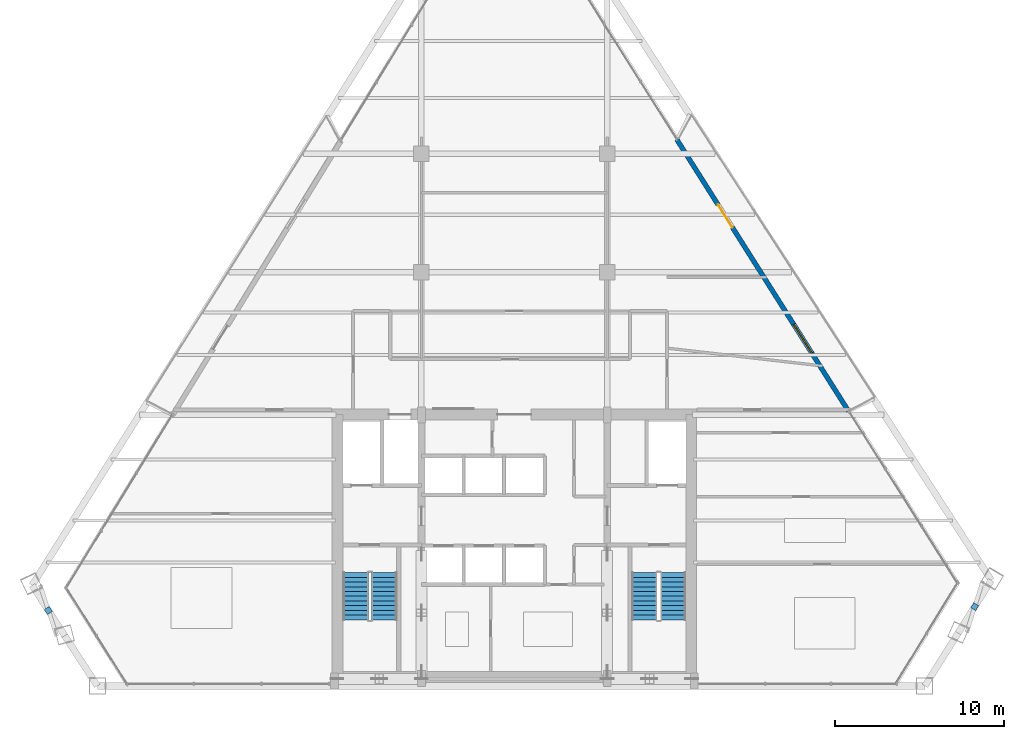
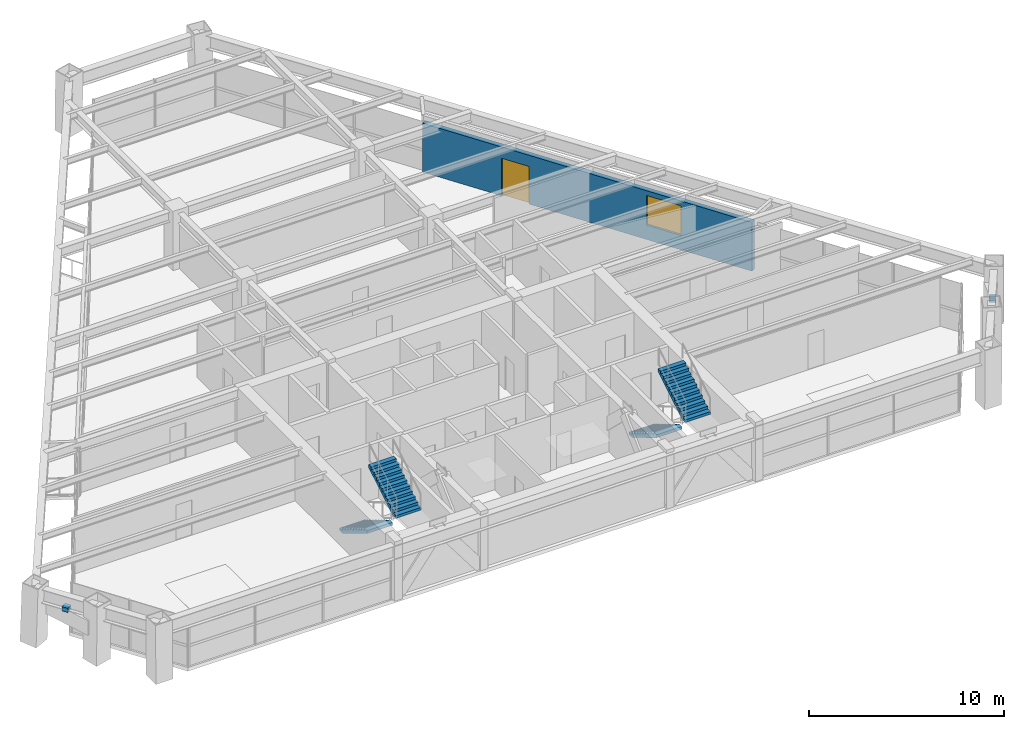
# One storey, part 13 of 15: 4 stair flights, 2 discrete accessories, 1 door, 1 wall, 1 window, 2 openings, 2 elements without a shape of their own.
"""IFC4 building model written with IfcOpenShell, lengths in metres."""

from ifc_helpers import new_model, si_unit, direction, frame, frame_2d, origin, origin_2d, place, context, subcontext, project, spatial, polyline, rectangle, outline, extrude, source, transform, mapped, material, layer, layer_set, type_object, type_shapes, element, fill, aggregate, save


model = new_model("IFC4")

# Units and contexts
model_context = context("Model", 3, precision=1e-05, world=origin(), true_north=direction((0.0, 1.0)))
body_context = subcontext(model_context, "Body", "Model", "MODEL_VIEW")
ifc_project = project(units=[si_unit("LENGTHUNIT", "METRE"), si_unit("AREAUNIT", "SQUARE_METRE"), si_unit("VOLUMEUNIT", "CUBIC_METRE"), si_unit("PLANEANGLEUNIT", "RADIAN"), si_unit("MASSUNIT", "GRAM", prefix="KILO")], contexts=[model_context])

# Site, building, storey
site_placement = place(None, origin())
site = spatial("IfcSite", under=ifc_project, at=site_placement, CompositionType="ELEMENT")
building_placement = place(site_placement, origin())
building = spatial("IfcBuilding", under=site, at=building_placement, Name="Varnakhor Terracotta Tower", CompositionType="ELEMENT")
storey_placement = place(building_placement, frame((0.0, 0.0, 196.89990234375)))
storey = spatial("IfcBuildingStorey", under=building, at=storey_placement, Name="L50", CompositionType="ELEMENT", Elevation=196.89990234375)

# Wall, openings, door, window
ifc_material_1 = material(Name="Extruded Architectural Terracotta Assembly", Category="masonry")
ifc_layer = layer(ifc_material_1, 0.280029296875, Name="Extruded Architectural Terracotta Assembly")
ifc_layer_set = layer_set([ifc_layer], Name="Extruded Architectural Terracotta Assembly")
wall_type = type_object("IfcWallType", Name="WAL-EXT-TERRACOTTA-280", PredefinedType="SOLIDWALL", material=ifc_layer_set)
wall_placement = place(storey_placement, frame((9.6201171875, 32.35791015625, 0.0), z_axis=(0.0, 0.0, 1.0), x_axis=(0.534252973029, -0.845324648174, 0.0)))
wall = element("IfcWall", 1, at=wall_placement, inside=storey, type_object=wall_type, Name="L50 E Loggia Insulated Terracotta Wall", PredefinedType="SOLIDWALL", context=body_context, shape_type="SweptSolid", body=[
    extrude(rectangle(XDim=19.041748046875, YDim=0.280029296875, at=frame_2d((9.52099609375, 0.0))), origin(), (0.0, 0.0, 1.0), 3.050048828125),
])
opening_1_placement = place(wall_placement, frame((4.570068359375, 0.0, 0.0)))
opening_1 = element("IfcOpeningElement", 2, at=opening_1_placement, cuts=wall, Name="Opening DR-62", PredefinedType="OPENING", context=body_context, shape_type="SweptSolid", body=[
    extrude(rectangle(XDim=1.60009765625, YDim=2.35009765625, at=frame_2d((0.800048828125, 1.175048828125))), frame((0.0, 0.14990234375, 0.0), z_axis=(0.0, -1.0, 0.0), x_axis=(1.0, 0.0, 0.0)), (0.0, 0.0, 1.0), 0.300048828125),
])
opening_2_placement = place(wall_placement, frame((12.9482421875, 0.0, 0.89990234375)))
opening_2 = element("IfcOpeningElement", 3, at=opening_2_placement, cuts=wall, Name="Opening WN-26", PredefinedType="OPENING", context=body_context, shape_type="SweptSolid", body=[
    extrude(rectangle(XDim=2.0, YDim=1.85009765625, at=frame_2d((1.0, 0.925048828125))), frame((0.0, 0.14990234375, 0.0), z_axis=(0.0, -1.0, 0.0), x_axis=(1.0, 0.0, 0.0)), (0.0, 0.0, 1.0), 0.300048828125),
])
ifc_material_2 = material(Name="Thermally Broken Sliding Glass Loggia Door", Category="glass")
door_type = type_object("IfcDoorType", Name="DR-EXT-LOGGIA-1600X2350", OperationType="NOTDEFINED", PredefinedType="DOOR", material=ifc_material_2)
shared_shape_1 = source(origin(), body_context, "Body", "SweptSolid", [
    extrude(rectangle(XDim=1.60009765625, YDim=2.35009765625, at=frame_2d((0.800048828125, 1.175048828125))), frame((0.0, 0.02490234375, 0.0), z_axis=(0.0, -1.0, 0.0), x_axis=(1.0, 0.0, 0.0)), (0.0, 0.0, 1.0), 0.050048828125),
])
type_shapes(door_type, [shared_shape_1])
door_placement = place(opening_1_placement, origin())
door = element("IfcDoor", 4, at=door_placement, inside=storey, type_object=door_type, Name="L50 E Recessed Loggia Sliding Door", OperationType="SLIDING_TO_RIGHT", OverallHeight=2.35009765625, OverallWidth=1.60009765625, PredefinedType="DOOR", context=body_context, shape_type="MappedRepresentation", body=[
    mapped(shared_shape_1, transform((0.0, 0.0, 0.0), scale=1.0)),
])
fill(opening_1, door)
ifc_material_3 = material(Name="Solar-Control Low-E Insulated Glass Unit", Category="glass")
window_type = type_object("IfcWindowType", Name="WIN-OFF-2200X2100", PartitioningType="SINGLE_PANEL", PredefinedType="WINDOW", material=ifc_material_3)
shared_shape_2 = source(origin(), body_context, "Body", "SweptSolid", [
    extrude(rectangle(XDim=2.0, YDim=1.85009765625, at=frame_2d((1.0, 0.925048828125))), frame((0.0, 0.030029296875, 0.0), z_axis=(0.0, -1.0, 0.0), x_axis=(1.0, 0.0, 0.0)), (0.0, 0.0, 1.0), 0.06005859375),
])
type_shapes(window_type, [shared_shape_2])
window_placement = place(opening_2_placement, origin())
window = element("IfcWindow", 5, at=window_placement, inside=storey, type_object=window_type, Name="L50 E Facet Punched Window", OverallHeight=1.85009765625, OverallWidth=2.0, PartitioningType="SINGLE_PANEL", PredefinedType="WINDOW", context=body_context, shape_type="MappedRepresentation", body=[
    mapped(shared_shape_2, transform((0.0, 0.0, 0.0), scale=1.0)),
])
fill(opening_2, window)

# Stair, stair flights
ifc_material_4 = material(Name="Concrete C40/50", Category="concrete")
stair_type = type_object("IfcStairType", Name="STR-CORE-OFFICE-1500", PredefinedType="HALF_TURN_STAIR", material=ifc_material_4)
stair_1_placement = place(storey_placement, origin())
stair_1 = element("IfcStair", 6, at=stair_1_placement, inside=storey, type_object=stair_type, Name="L50 Core Exit Stair ST-1", PredefinedType="HALF_TURN_STAIR")
stair_flight_type = type_object("IfcStairFlightType", Name="FLT-CORE-1500", PredefinedType="STRAIGHT", material=ifc_material_4)
stair_flight_1_placement = place(storey_placement, frame((-9.39990234375, 6.7099609375, 0.0), z_axis=(0.0, 0.0, 1.0), x_axis=(0.0, -1.0, 0.0)))
stair_flight_1 = element("IfcStairFlight", 7, at=stair_flight_1_placement, type_object=stair_flight_type, Name="ST-1 flight 1", NumberOfRisers=11, NumberOfTreads=10, PredefinedType="STRAIGHT", RiserHeight=0.168181818, TreadLength=0.28, context=body_context, shape_type="SweptSolid", body=[
    extrude(outline(polyline([(0.0, 0.0), (0.0, 0.168212890625), (0.280029296875, 0.168212890625), (0.280029296875, 0.33642578125), (0.56005859375, 0.33642578125), (0.56005859375, 0.504638671875), (0.840087890625, 0.504638671875), (0.840087890625, 0.672607421875), (1.1201171875, 0.672607421875), (1.1201171875, 0.8408203125), (1.39990234375, 0.8408203125), (1.39990234375, 1.009033203125), (1.679931640625, 1.009033203125), (1.679931640625, 1.17724609375), (1.9599609375, 1.17724609375), (1.9599609375, 1.345458984375), (2.239990234375, 1.345458984375), (2.239990234375, 1.513671875), (2.52001953125, 1.513671875), (2.52001953125, 1.681884765625), (2.800048828125, 1.681884765625), (2.800048828125, 1.85009765625), (2.800048828125, 1.495361328125), (0.310546875, 0.0), (0.0, 0.0)])), frame((0.0, 0.75, 0.0), z_axis=(0.0, -1.0, 0.0), x_axis=(1.0, 0.0, 0.0)), (0.0, 0.0, 1.0), 1.5),
])
stair_flight_2_placement = place(storey_placement, frame((-7.699951171875, 3.909912109375, 1.85009765625), z_axis=(0.0, 0.0, 1.0), x_axis=(0.0, 1.0, 0.0)))
stair_flight_2 = element("IfcStairFlight", 8, at=stair_flight_2_placement, type_object=stair_flight_type, Name="ST-1 flight 2", NumberOfRisers=11, NumberOfTreads=10, PredefinedType="STRAIGHT", RiserHeight=0.168181818, TreadLength=0.28, context=body_context, shape_type="SweptSolid", body=[
    extrude(outline(polyline([(0.0, 0.0), (0.0, 0.168212890625), (0.280029296875, 0.168212890625), (0.280029296875, 0.33642578125), (0.56005859375, 0.33642578125), (0.56005859375, 0.504638671875), (0.840087890625, 0.504638671875), (0.840087890625, 0.672607421875), (1.1201171875, 0.672607421875), (1.1201171875, 0.8408203125), (1.39990234375, 0.8408203125), (1.39990234375, 1.009033203125), (1.679931640625, 1.009033203125), (1.679931640625, 1.17724609375), (1.9599609375, 1.17724609375), (1.9599609375, 1.345458984375), (2.239990234375, 1.345458984375), (2.239990234375, 1.513671875), (2.52001953125, 1.513671875), (2.52001953125, 1.681884765625), (2.800048828125, 1.681884765625), (2.800048828125, 1.85009765625), (2.800048828125, 1.495361328125), (0.310546875, 0.0), (0.0, 0.0)])), frame((0.0, 0.75, 0.0), z_axis=(0.0, -1.0, 0.0), x_axis=(1.0, 0.0, 0.0)), (0.0, 0.0, 1.0), 1.5),
])
aggregate(stair_1, [stair_flight_1, stair_flight_2])

stair_2_placement = place(storey_placement, origin())
stair_2 = element("IfcStair", 9, at=stair_2_placement, inside=storey, type_object=stair_type, Name="L50 Core Exit Stair ST-2", PredefinedType="HALF_TURN_STAIR")
stair_flight_3_placement = place(storey_placement, frame((7.699951171875, 6.7099609375, 0.0), z_axis=(0.0, 0.0, 1.0), x_axis=(0.0, -1.0, 0.0)))
stair_flight_3 = element("IfcStairFlight", 10, at=stair_flight_3_placement, type_object=stair_flight_type, Name="ST-2 flight 1", NumberOfRisers=11, NumberOfTreads=10, PredefinedType="STRAIGHT", RiserHeight=0.168181818, TreadLength=0.28, context=body_context, shape_type="SweptSolid", body=[
    extrude(outline(polyline([(0.0, 0.0), (0.0, 0.168212890625), (0.280029296875, 0.168212890625), (0.280029296875, 0.33642578125), (0.56005859375, 0.33642578125), (0.56005859375, 0.504638671875), (0.840087890625, 0.504638671875), (0.840087890625, 0.672607421875), (1.1201171875, 0.672607421875), (1.1201171875, 0.8408203125), (1.39990234375, 0.8408203125), (1.39990234375, 1.009033203125), (1.679931640625, 1.009033203125), (1.679931640625, 1.17724609375), (1.9599609375, 1.17724609375), (1.9599609375, 1.345458984375), (2.239990234375, 1.345458984375), (2.239990234375, 1.513671875), (2.52001953125, 1.513671875), (2.52001953125, 1.681884765625), (2.800048828125, 1.681884765625), (2.800048828125, 1.85009765625), (2.800048828125, 1.495361328125), (0.310546875, 0.0), (0.0, 0.0)])), frame((0.0, 0.75, 0.0), z_axis=(0.0, -1.0, 0.0), x_axis=(1.0, 0.0, 0.0)), (0.0, 0.0, 1.0), 1.5),
])
stair_flight_4_placement = place(storey_placement, frame((9.39990234375, 3.909912109375, 1.85009765625), z_axis=(0.0, 0.0, 1.0), x_axis=(0.0, 1.0, 0.0)))
stair_flight_4 = element("IfcStairFlight", 11, at=stair_flight_4_placement, type_object=stair_flight_type, Name="ST-2 flight 2", NumberOfRisers=11, NumberOfTreads=10, PredefinedType="STRAIGHT", RiserHeight=0.168181818, TreadLength=0.28, context=body_context, shape_type="SweptSolid", body=[
    extrude(outline(polyline([(0.0, 0.0), (0.0, 0.168212890625), (0.280029296875, 0.168212890625), (0.280029296875, 0.33642578125), (0.56005859375, 0.33642578125), (0.56005859375, 0.504638671875), (0.840087890625, 0.504638671875), (0.840087890625, 0.672607421875), (1.1201171875, 0.672607421875), (1.1201171875, 0.8408203125), (1.39990234375, 0.8408203125), (1.39990234375, 1.009033203125), (1.679931640625, 1.009033203125), (1.679931640625, 1.17724609375), (1.9599609375, 1.17724609375), (1.9599609375, 1.345458984375), (2.239990234375, 1.345458984375), (2.239990234375, 1.513671875), (2.52001953125, 1.513671875), (2.52001953125, 1.681884765625), (2.800048828125, 1.681884765625), (2.800048828125, 1.85009765625), (2.800048828125, 1.495361328125), (0.310546875, 0.0), (0.0, 0.0)])), frame((0.0, 0.75, 0.0), z_axis=(0.0, -1.0, 0.0), x_axis=(1.0, 0.0, 0.0)), (0.0, 0.0, 1.0), 1.5),
])
aggregate(stair_2, [stair_flight_3, stair_flight_4])

# Discrete accessories
ifc_material_5 = material(Name="Stainless Steel Fixing Bracket", Category="steel")
discrete_accessory_type = type_object("IfcDiscreteAccessoryType", Name="BRACKET-TERRACOTTA-SCREEN", PredefinedType="BRACKET", material=ifc_material_5)
shared_shape_3 = source(origin(), body_context, "Body", "SweptSolid", [
    extrude(rectangle(XDim=0.35009765625, YDim=0.35009765625, at=origin_2d()), origin(), (0.0, 0.0, 1.0), 0.280029296875),
])
type_shapes(discrete_accessory_type, [shared_shape_3])
for number, where, z_axis, x_axis, name in (
    (12, (27.261474609375, 4.69189453125, 2.48486328125), (0.0, 0.0, 1.0), (0.532374041144, 0.846509232269, 0.0), "L50 E Screen Fixing Bracket"),
    (13, (-27.589599609375, 4.466064453125, 2.48486328125), (0.0, 0.0, 1.0), (0.54381907149, -0.839202488964, 0.0), "L50 W Screen Fixing Bracket"),
):
    element("IfcDiscreteAccessory", number, at=place(storey_placement, frame(where, z_axis=z_axis, x_axis=x_axis)), inside=storey, type_object=discrete_accessory_type, Name=name, PredefinedType="BRACKET", context=body_context, shape_type="MappedRepresentation", body=[
        mapped(shared_shape_3, transform((0.0, 0.0, 0.0), scale=1.0)),
    ])

save(model, "model.ifc")
